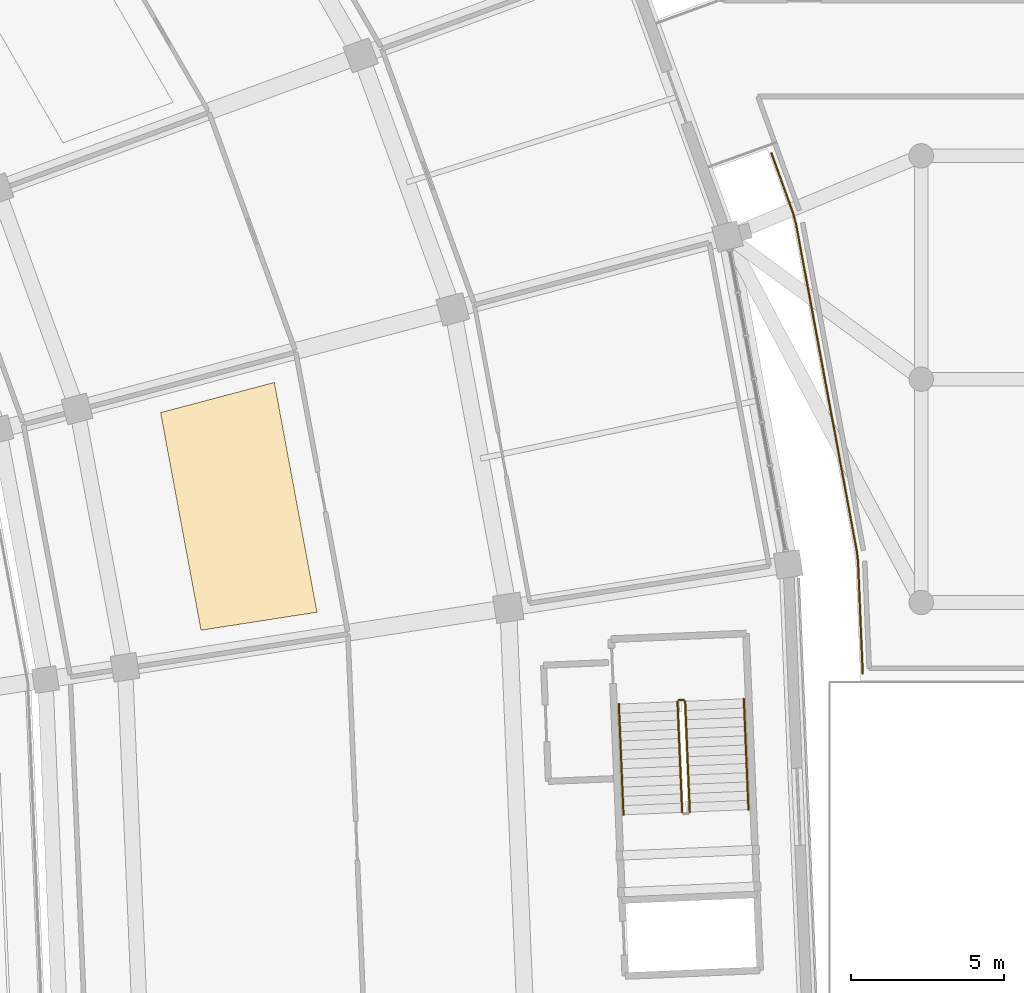
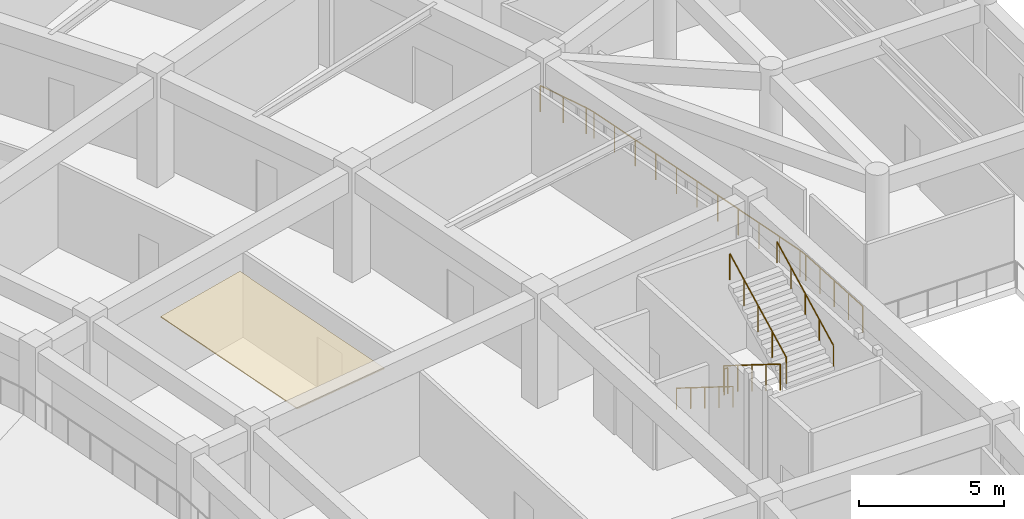
# One storey, part 141 of 152: 6 railings, 1 covering.
"""IFC4 building model written with IfcOpenShell, lengths in metres."""

from ifc_helpers import new_model, si_unit, direction, frame, origin, origin_2d, place, context, subcontext, project, spatial, polyline, circle, outline, extrude, material, layer, layer_set, type_object, element, save


model = new_model("IFC4")

# Units and contexts
model_context = context("Model", 3, precision=1e-05, world=origin(), true_north=direction((0.0, 1.0)))
body_context = subcontext(model_context, "Body", "Model", "MODEL_VIEW")
ifc_project = project(units=[si_unit("LENGTHUNIT", "METRE"), si_unit("AREAUNIT", "SQUARE_METRE"), si_unit("VOLUMEUNIT", "CUBIC_METRE"), si_unit("PLANEANGLEUNIT", "RADIAN"), si_unit("MASSUNIT", "GRAM", prefix="KILO")], contexts=[model_context])

# Site, building, storey
site_placement = place(None, origin())
site = spatial("IfcSite", under=ifc_project, at=site_placement, CompositionType="ELEMENT")
building_placement = place(site_placement, origin())
building = spatial("IfcBuilding", under=site, at=building_placement, Name="Mphavela Belvedere Stadium", CompositionType="ELEMENT")
storey_placement = place(building_placement, frame((0.0, 0.0, 5.39990234375)))
storey = spatial("IfcBuildingStorey", under=building, at=storey_placement, Name="L01", CompositionType="ELEMENT", Elevation=5.39990234375)

# Covering
ifc_material_1 = material(Name="Perforated acoustic mineral ceiling tile")
ifc_layer = layer(ifc_material_1, 0.0400390625)
ifc_layer_set = layer_set([ifc_layer], Name="Perforated acoustic mineral ceiling tile")
covering_type = type_object("IfcCoveringType", Name="COV-CEILING-ACOUSTIC", PredefinedType="CEILING", material=ifc_layer_set)
covering_placement = place(storey_placement, frame((0.0, 0.0, 3.5)))
element("IfcCovering", 1, at=covering_placement, inside=storey, type_object=covering_type, Name="Concourse acoustic ceiling L01-02", PredefinedType="CEILING", context=body_context, shape_type="SweptSolid", body=[
    extrude(outline(polyline([(197.955322265625, 100.692626953125), (196.634033203125, 107.806396484375), (200.353271484375, 108.79248046875), (201.74853515625, 101.281005859375), (197.955322265625, 100.692626953125)])), origin(), (0.0, 0.0, 1.0), 0.0400390625),
])

# Railings
ifc_material_2 = material(Name="Bronze and laminated glass stadium balustrade", Category="glass")
railing_type_1 = type_object("IfcRailingType", Name="RAL-BALUSTRADE-1120", PredefinedType="BALUSTRADE", material=ifc_material_2)
railing_1_placement = place(storey_placement, frame((219.5869140625, 99.280029296875, 0.0)))
element("IfcRailing", 2, at=railing_1_placement, inside=storey, type_object=railing_type_1, Name="Peristyle wing gallery edge balustrade L01-62", PredefinedType="BALUSTRADE", context=body_context, shape_type="SweptSolid", body=[
    extrude(circle(Radius=0.02392578125, at=origin_2d()), frame((0.0, 0.0, 1.09619140625), z_axis=(-0.041913249869, 0.999121253645, 0.0), x_axis=(-0.999121253645, -0.041913249869, 0.0)), (0.0, 0.0, 1.0), 3.663818359375),
    extrude(circle(Radius=0.02392578125, at=origin_2d()), frame((-0.153564453125, 3.66064453125, 1.09619140625), z_axis=(-0.111925462349, 0.993716604912, 0.0), x_axis=(-0.993716604912, -0.111925462349, 0.0)), (0.0, 0.0, 1.0), 0.32275390625),
    extrude(circle(Radius=0.02392578125, at=origin_2d()), frame((-0.189697265625, 3.9814453125, 1.09619140625), z_axis=(-0.182655268054, 0.983177020201, 0.0), x_axis=(-0.983177020201, -0.182655268054, 0.0)), (0.0, 0.0, 1.0), 10.904052734375),
    extrude(circle(Radius=0.02392578125, at=origin_2d()), frame((-2.181396484375, 14.7021484375, 1.09619140625), z_axis=(-0.263228770057, 0.96473344226, 0.0), x_axis=(-0.96473344226, -0.263228770057, 0.0)), (0.0, 0.0, 1.0), 0.37109375),
    extrude(circle(Radius=0.02392578125, at=origin_2d()), frame((-2.279052734375, 15.06005859375, 1.09619140625), z_axis=(-0.3409855965, 0.940068520364, 0.0), x_axis=(-0.940068520364, -0.3409855965, 0.0)), (0.0, 0.0, 1.0), 2.070556640625),
    extrude(circle(Radius=0.02099609375, at=origin_2d()), origin(), (0.0, 0.0, 1.0), 1.072021484375),
    extrude(circle(Radius=0.02099609375, at=origin_2d()), frame((-0.038330078125, 0.9150390625, 0.0)), (0.0, 0.0, 1.0), 1.072021484375),
    extrude(circle(Radius=0.02099609375, at=origin_2d()), frame((-0.07666015625, 1.830322265625, 0.0)), (0.0, 0.0, 1.0), 1.072021484375),
    extrude(circle(Radius=0.02099609375, at=origin_2d()), frame((-0.115234375, 2.74560546875, 0.0)), (0.0, 0.0, 1.0), 1.072021484375),
    extrude(circle(Radius=0.02099609375, at=origin_2d()), frame((-0.153564453125, 3.66064453125, 0.0)), (0.0, 0.0, 1.0), 1.072021484375),
    extrude(circle(Radius=0.02099609375, at=origin_2d()), frame((-0.189697265625, 3.9814453125, 0.0)), (0.0, 0.0, 1.0), 1.072021484375),
    extrude(circle(Radius=0.02099609375, at=origin_2d()), frame((-0.388916015625, 5.053466796875, 0.0)), (0.0, 0.0, 1.0), 1.072021484375),
    extrude(circle(Radius=0.02099609375, at=origin_2d()), frame((-0.588134765625, 6.12548828125, 0.0)), (0.0, 0.0, 1.0), 1.072021484375),
    extrude(circle(Radius=0.02099609375, at=origin_2d()), frame((-0.787109375, 7.19775390625, 0.0)), (0.0, 0.0, 1.0), 1.072021484375),
    extrude(circle(Radius=0.02099609375, at=origin_2d()), frame((-0.986328125, 8.269775390625, 0.0)), (0.0, 0.0, 1.0), 1.072021484375),
    extrude(circle(Radius=0.02099609375, at=origin_2d()), frame((-1.185546875, 9.341796875, 0.0)), (0.0, 0.0, 1.0), 1.072021484375),
    extrude(circle(Radius=0.02099609375, at=origin_2d()), frame((-1.384765625, 10.413818359375, 0.0)), (0.0, 0.0, 1.0), 1.072021484375),
    extrude(circle(Radius=0.02099609375, at=origin_2d()), frame((-1.583984375, 11.48583984375, 0.0)), (0.0, 0.0, 1.0), 1.072021484375),
    extrude(circle(Radius=0.02099609375, at=origin_2d()), frame((-1.782958984375, 12.55810546875, 0.0)), (0.0, 0.0, 1.0), 1.072021484375),
    extrude(circle(Radius=0.02099609375, at=origin_2d()), frame((-1.982177734375, 13.630126953125, 0.0)), (0.0, 0.0, 1.0), 1.072021484375),
    extrude(circle(Radius=0.02099609375, at=origin_2d()), frame((-2.181396484375, 14.7021484375, 0.0)), (0.0, 0.0, 1.0), 1.072021484375),
    extrude(circle(Radius=0.02099609375, at=origin_2d()), frame((-2.279052734375, 15.06005859375, 0.0)), (0.0, 0.0, 1.0), 1.072021484375),
    extrude(circle(Radius=0.02099609375, at=origin_2d()), frame((-2.632080078125, 16.033203125, 0.0)), (0.0, 0.0, 1.0), 1.072021484375),
    extrude(circle(Radius=0.02099609375, at=origin_2d()), frame((-2.985107421875, 17.006591796875, 0.0)), (0.0, 0.0, 1.0), 1.072021484375),
])
ifc_material_3 = material(Name="Painted galvanised steel stair guardrail", Category="steel")
railing_type_2 = type_object("IfcRailingType", Name="RAL-GUARD-1120", PredefinedType="GUARDRAIL", material=ifc_material_3)
railing_2_placement = place(storey_placement, frame((213.532958984375, 98.359375, 0.184814453125)))
element("IfcRailing", 3, at=railing_2_placement, inside=storey, type_object=railing_type_2, Name="L01 ST-C01 stair guard 1", PredefinedType="GUARDRAIL", context=body_context, shape_type="SweptSolid", body=[
    extrude(circle(Radius=0.02392578125, at=origin_2d()), frame((0.0, 0.0, 1.09619140625), z_axis=(0.035751677697, -0.852464842318, 0.521560648587), x_axis=(0.999121710974, 0.041902346721, 0.0)), (0.0, 0.0, 1.0), 4.24755859375),
    extrude(circle(Radius=0.02099609375, at=origin_2d()), origin(), (0.0, 0.0, 1.0), 1.072021484375),
    extrude(circle(Radius=0.02099609375, at=origin_2d()), frame((0.0380859375, -0.9052734375, 0.5537109375)), (0.0, 0.0, 1.0), 1.072021484375),
    extrude(circle(Radius=0.02099609375, at=origin_2d()), frame((0.075927734375, -1.810546875, 1.107666015625)), (0.0, 0.0, 1.0), 1.072021484375),
    extrude(circle(Radius=0.02099609375, at=origin_2d()), frame((0.11376953125, -2.715576171875, 1.66162109375)), (0.0, 0.0, 1.0), 1.072021484375),
    extrude(circle(Radius=0.02099609375, at=origin_2d()), frame((0.15185546875, -3.620849609375, 2.21533203125)), (0.0, 0.0, 1.0), 1.072021484375),
])
railing_3_placement = place(storey_placement, frame((213.9345703125, 94.7490234375, 2.584716796875)))
element("IfcRailing", 4, at=railing_3_placement, inside=storey, type_object=railing_type_2, Name="L01 ST-C01 stair guard 3", PredefinedType="GUARDRAIL", context=body_context, shape_type="SweptSolid", body=[
    extrude(circle(Radius=0.02392578125, at=origin_2d()), frame((0.0, 0.0, 1.09619140625), z_axis=(-0.035751677697, 0.852464842318, 0.521560648587), x_axis=(-0.999121710974, -0.041902346721, 0.0)), (0.0, 0.0, 1.0), 4.24755859375),
    extrude(circle(Radius=0.02099609375, at=origin_2d()), origin(), (0.0, 0.0, 1.0), 1.072021484375),
    extrude(circle(Radius=0.02099609375, at=origin_2d()), frame((-0.0380859375, 0.9052734375, 0.5537109375)), (0.0, 0.0, 1.0), 1.072021484375),
    extrude(circle(Radius=0.02099609375, at=origin_2d()), frame((-0.075927734375, 1.810546875, 1.107666015625)), (0.0, 0.0, 1.0), 1.072021484375),
    extrude(circle(Radius=0.02099609375, at=origin_2d()), frame((-0.11376953125, 2.715576171875, 1.66162109375)), (0.0, 0.0, 1.0), 1.072021484375),
    extrude(circle(Radius=0.02099609375, at=origin_2d()), frame((-0.15185546875, 3.620849609375, 2.21533203125)), (0.0, 0.0, 1.0), 1.072021484375),
])
railing_4_placement = place(storey_placement, frame((213.580810546875, 98.41162109375, 0.0)))
element("IfcRailing", 5, at=railing_4_placement, inside=storey, type_object=railing_type_2, Name="L01 ST-C01 stair guard 4", PredefinedType="GUARDRAIL", context=body_context, shape_type="SweptSolid", body=[
    extrude(circle(Radius=0.02392578125, at=origin_2d()), frame((0.0, 0.0, 1.09619140625), z_axis=(0.999172107982, 0.040682903419, 0.0), x_axis=(-0.040682903419, 0.999172107982, 0.0)), (0.0, 0.0, 1.0), 0.150146484375),
    extrude(circle(Radius=0.02099609375, at=origin_2d()), origin(), (0.0, 0.0, 1.0), 1.072021484375),
    extrude(circle(Radius=0.02099609375, at=origin_2d()), frame((0.14990234375, 0.006103515625, 0.0)), (0.0, 0.0, 1.0), 1.072021484375),
])
ifc_material_4 = material(Name="Brushed stainless steel tubular handrail", Category="steel")
railing_type_3 = type_object("IfcRailingType", Name="RAL-HANDRAIL-900", PredefinedType="HANDRAIL", material=ifc_material_4)
railing_5_placement = place(storey_placement, frame((211.61474609375, 98.279052734375, 0.184814453125)))
element("IfcRailing", 6, at=railing_5_placement, inside=storey, type_object=railing_type_3, Name="L01 ST-C01 stair handrail 1", PredefinedType="HANDRAIL", context=body_context, shape_type="SweptSolid", body=[
    extrude(circle(Radius=0.02392578125, at=origin_2d()), frame((0.0, 0.0, 0.8759765625), z_axis=(0.035694272407, -0.852466592692, 0.521561719513), x_axis=(0.99912452908, 0.041835097604, 0.0)), (0.0, 0.0, 1.0), 4.24755859375),
    extrude(circle(Radius=0.02099609375, at=origin_2d()), origin(), (0.0, 0.0, 1.0), 0.851806640625),
    extrude(circle(Radius=0.02099609375, at=origin_2d()), frame((0.037841796875, -0.9052734375, 0.5537109375)), (0.0, 0.0, 1.0), 0.851806640625),
    extrude(circle(Radius=0.02099609375, at=origin_2d()), frame((0.07568359375, -1.810546875, 1.107666015625)), (0.0, 0.0, 1.0), 0.851806640625),
    extrude(circle(Radius=0.02099609375, at=origin_2d()), frame((0.11376953125, -2.715576171875, 1.66162109375)), (0.0, 0.0, 1.0), 0.851806640625),
    extrude(circle(Radius=0.02099609375, at=origin_2d()), frame((0.151611328125, -3.620849609375, 2.21533203125)), (0.0, 0.0, 1.0), 0.851806640625),
])
railing_6_placement = place(storey_placement, frame((215.852783203125, 94.82958984375, 2.584716796875)))
element("IfcRailing", 7, at=railing_6_placement, inside=storey, type_object=railing_type_3, Name="L01 ST-C01 stair handrail 2", PredefinedType="HANDRAIL", context=body_context, shape_type="SweptSolid", body=[
    extrude(circle(Radius=0.02392578125, at=origin_2d()), frame((0.0, 0.0, 0.8759765625), z_axis=(-0.035694272407, 0.852466592692, 0.521561719513), x_axis=(-0.99912452908, -0.041835097604, 0.0)), (0.0, 0.0, 1.0), 4.24755859375),
    extrude(circle(Radius=0.02099609375, at=origin_2d()), origin(), (0.0, 0.0, 1.0), 0.851806640625),
    extrude(circle(Radius=0.02099609375, at=origin_2d()), frame((-0.037841796875, 0.9052734375, 0.5537109375)), (0.0, 0.0, 1.0), 0.851806640625),
    extrude(circle(Radius=0.02099609375, at=origin_2d()), frame((-0.07568359375, 1.810546875, 1.107666015625)), (0.0, 0.0, 1.0), 0.851806640625),
    extrude(circle(Radius=0.02099609375, at=origin_2d()), frame((-0.11376953125, 2.715576171875, 1.66162109375)), (0.0, 0.0, 1.0), 0.851806640625),
    extrude(circle(Radius=0.02099609375, at=origin_2d()), frame((-0.151611328125, 3.620849609375, 2.21533203125)), (0.0, 0.0, 1.0), 0.851806640625),
])

save(model, "model.ifc")
